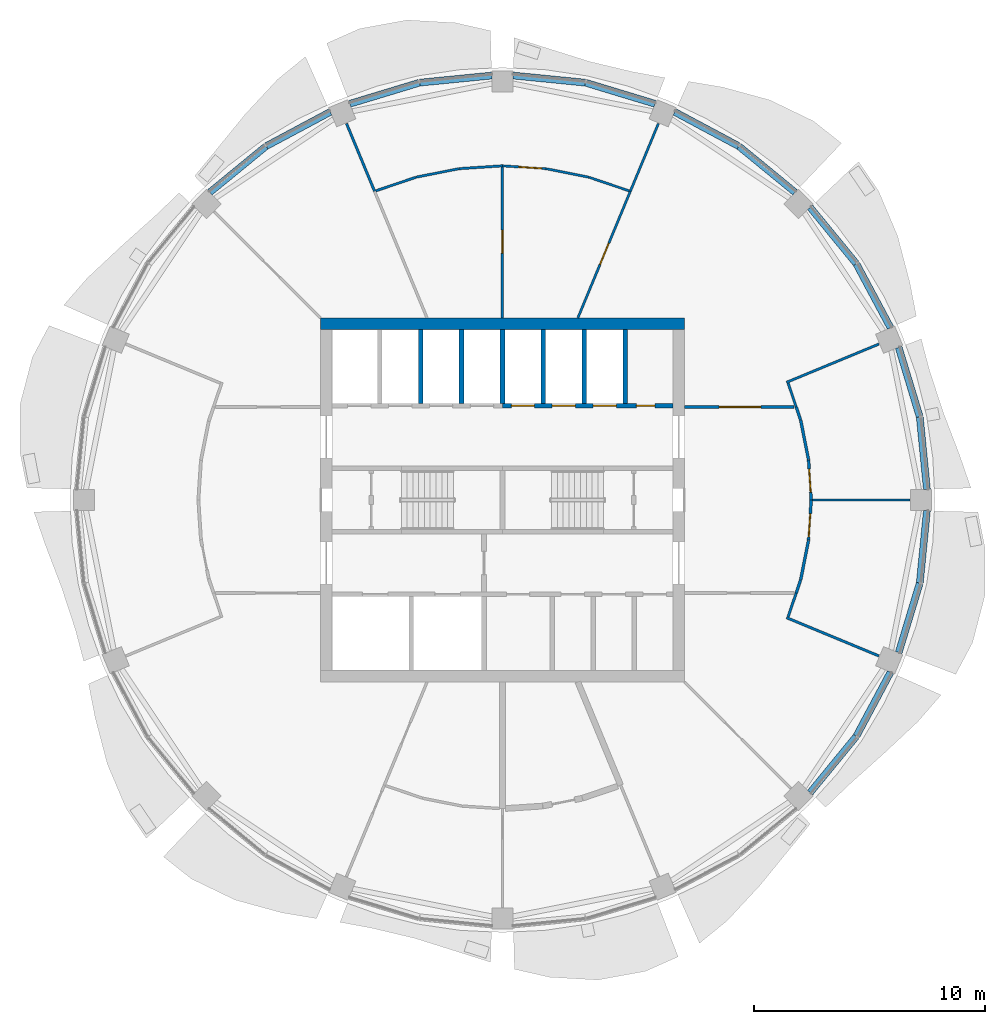
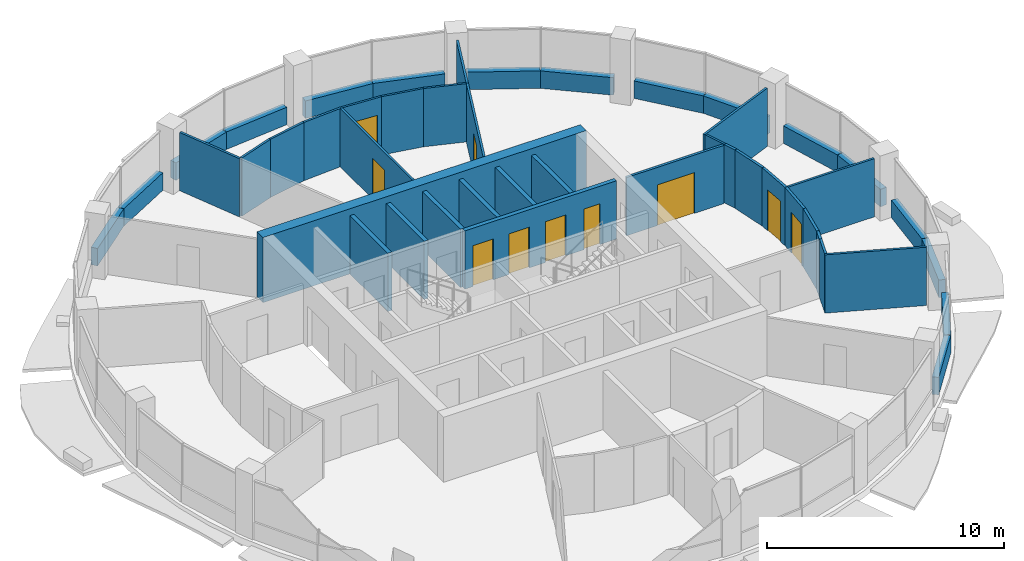
# One storey, part 10 of 15: 46 walls, 10 doors, 10 openings.
"""IFC4 building model written with IfcOpenShell, lengths in metres."""

import ifcopenshell
import ifcopenshell.guid

model = None  # the IFC model being written
_history = None  # IfcOwnerHistory: only IFC2X3 demands one
_inside = {}  # id of a spatial element -> (the spatial element, [elements in it])
_under = {}  # id of a project, library or spatial element -> (it, [spatial elements below it])
_declared = {}  # id of a project -> (the project, [libraries it declares])
_typed = {}  # id of a type object -> (the type object, [elements of that type])
_made_of = {}  # id of a material, layer set ... -> (it, [elements and type objects made of it])


def new_model(schema):
    """Start an empty IFC model of exactly this schema.

    Asked for "IFC4X3", IfcOpenShell would pick the latest addendum, in which some entities
    have other attributes; the version numbers below select the first issue.
    IFC2X3 requires an IfcOwnerHistory on every rooted entity: one is made here for all.
    """
    global model, _history
    if schema == "IFC4X3":
        model = ifcopenshell.file(schema_version=(4, 3, 0, 0))
    else:
        model = ifcopenshell.file(schema=schema)
    _inside.clear()
    _under.clear()
    _declared.clear()
    _typed.clear()
    _made_of.clear()
    _history = None
    if model.schema == "IFC2X3":
        org = make("IfcOrganization", Name="unknown")
        user = make(
            "IfcPersonAndOrganization",
            ThePerson=make("IfcPerson", FamilyName="unknown"),
            TheOrganization=org,
        )
        app = make(
            "IfcApplication",
            ApplicationDeveloper=org,
            Version="unknown",
            ApplicationFullName="unknown",
            ApplicationIdentifier="unknown",
        )
        _history = make(
            "IfcOwnerHistory",
            OwningUser=user,
            OwningApplication=app,
            ChangeAction="ADDED",
            CreationDate=0,
        )
    return model


def make(cls, **values):
    """One entity of the class cls with the attributes given. An attribute that is None is left unset."""
    return model.create_entity(
        cls, **{name: value for name, value in values.items() if value is not None}
    )


def rooted(cls, **values):
    """An entity with a GlobalId (a new one), such as an element, a storey or a relation."""
    return make(cls, GlobalId=ifcopenshell.guid.new(), OwnerHistory=_history, **values)


def si_unit(unit_type, name, prefix=None):
    """IfcSIUnit, for example si_unit("LENGTHUNIT", "METRE", prefix="MILLI")."""
    return make("IfcSIUnit", UnitType=unit_type, Prefix=prefix, Name=name)


def assignment(units):
    """IfcUnitAssignment: the units of a project."""
    return None if units is None else make("IfcUnitAssignment", Units=units)


def point(xyz):
    """IfcCartesianPoint."""
    return None if xyz is None else make("IfcCartesianPoint", Coordinates=xyz)


def direction(xyz):
    """IfcDirection."""
    return None if xyz is None else make("IfcDirection", DirectionRatios=xyz)


def frame(location, z_axis=None, x_axis=None):
    """IfcAxis2Placement3D, a coordinate frame: its origin and axes. An axis left out is left unset."""
    return make(
        "IfcAxis2Placement3D",
        Location=point(location),
        Axis=direction(z_axis),
        RefDirection=direction(x_axis),
    )


def frame_2d(location, x_axis=None):
    """IfcAxis2Placement2D, a coordinate frame in the plane: its origin and x axis."""
    return make(
        "IfcAxis2Placement2D", Location=point(location), RefDirection=direction(x_axis)
    )


def origin():
    """The frame at (0, 0, 0) with its axes left unset."""
    return frame((0.0, 0.0, 0.0))


def place(relative_to, where):
    """IfcLocalPlacement: puts the frame where relative to a parent placement (None: the world)."""
    return make(
        "IfcLocalPlacement", PlacementRelTo=relative_to, RelativePlacement=where
    )


def context(
    kind, dimensions, precision=None, world=None, true_north=None, identifier=None
):
    """IfcGeometricRepresentationContext, for example the 3D "Model" context."""
    return make(
        "IfcGeometricRepresentationContext",
        ContextIdentifier=identifier,
        ContextType=kind,
        CoordinateSpaceDimension=dimensions,
        Precision=precision,
        WorldCoordinateSystem=world,
        TrueNorth=true_north,
    )


def subcontext(parent, identifier, kind, view, scale=None):
    """IfcGeometricRepresentationSubContext, for example "Body" below "Model"."""
    return make(
        "IfcGeometricRepresentationSubContext",
        ContextIdentifier=identifier,
        ContextType=kind,
        ParentContext=parent,
        TargetScale=scale,
        TargetView=view,
    )


def project(units=None, contexts=None):
    """IfcProject with its units and contexts."""
    return rooted(
        "IfcProject",
        Name="project",
        RepresentationContexts=contexts,
        UnitsInContext=assignment(units),
    )


def spatial(cls, under=None, at=None, **own):
    """A site, building, storey or space (cls), placed at a placement, below another one or the project."""
    s = rooted(cls, ObjectPlacement=at, **own)
    if under is not None:
        _under.setdefault(under.id(), (under, []))[1].append(s)
    return s


def profile(cls, at=None, kind="AREA", **sizes):
    """A parametric profile (cls). Its sizes go by their IFC names, for example OverallWidth=200.0."""
    return make(cls, ProfileType=kind, Position=at, **sizes)


def rectangle(**sizes):
    """IfcRectangleProfileDef."""
    return profile("IfcRectangleProfileDef", **sizes)


def extrude(swept, where, along, depth):
    """IfcExtrudedAreaSolid: the profile swept, set in the frame where, extruded along a direction by depth."""
    return make(
        "IfcExtrudedAreaSolid",
        SweptArea=swept,
        Position=where,
        ExtrudedDirection=direction(along),
        Depth=depth,
    )


def shape(context_of_items, identifier, shape_type, items):
    """IfcShapeRepresentation: the items that make up one representation, for example the "Body"."""
    return make(
        "IfcShapeRepresentation",
        ContextOfItems=context_of_items,
        RepresentationIdentifier=identifier,
        RepresentationType=shape_type,
        Items=items,
    )


def material(Name=None, Category=None):
    """IfcMaterial."""
    return make("IfcMaterial", Name=Name, Category=Category)


def layer(
    of_material, thickness, ventilated=None, Name=None, Category=None, Priority=None
):
    """IfcMaterialLayer: one layer of a wall or slab, of a material (None: an air gap)."""
    return make(
        "IfcMaterialLayer",
        Material=of_material,
        LayerThickness=thickness,
        IsVentilated=ventilated,
        Name=Name,
        Category=Category,
        Priority=Priority,
    )


def layer_set(layers, Name=None):
    """IfcMaterialLayerSet."""
    return make("IfcMaterialLayerSet", MaterialLayers=layers, LayerSetName=Name)


def made_of(thing, what):
    """Note that an element or type object is made of a material, layer set ...; save() writes the relation."""
    if what is not None:
        _made_of.setdefault(what.id(), (what, []))[1].append(thing)
    return thing


def type_object(cls, material=None, **own):
    """A type object (cls), such as IfcWallType, which elements share."""
    return made_of(rooted(cls, **own), material)


def element(
    cls,
    number,
    at=None,
    inside=None,
    cuts=None,
    type_object=None,
    material=None,
    context=None,
    identifier="Body",
    shape_type=None,
    held_by="IfcProductDefinitionShape",
    body=None,
    shapes=None,
    **own,
):
    """One element of the class cls, such as IfcWall. Its Tag is "e" and its number.

    at: its placement. inside: the storey or other place that contains it. cuts: it is an
    opening in that element (IfcRelVoidsElement). A single representation is given by context,
    identifier, shape_type and body (its items); several are given by shapes. held_by: the class
    of the entity that holds the representations. save() writes the other relations.
    """
    e = rooted(cls, Tag="e%d" % number, ObjectPlacement=at, **own)
    if body is not None:
        shapes = [shape(context, identifier, shape_type, body)]
    if shapes is not None:
        e.Representation = make(held_by, Representations=shapes)
    if inside is not None:
        _inside.setdefault(inside.id(), (inside, []))[1].append(e)
    if cuts is not None:
        rooted(
            "IfcRelVoidsElement", RelatingBuildingElement=cuts, RelatedOpeningElement=e
        )
    if type_object is not None:
        _typed.setdefault(type_object.id(), (type_object, []))[1].append(e)
    return made_of(e, material)


def fill(opening, filler):
    """IfcRelFillsElement: the door or window that sits in an opening."""
    return rooted(
        "IfcRelFillsElement",
        RelatingOpeningElement=opening,
        RelatedBuildingElement=filler,
    )


def aggregate(whole, parts):
    """IfcRelAggregates: a whole, such as a stair, and the parts it consists of."""
    return rooted("IfcRelAggregates", RelatingObject=whole, RelatedObjects=parts)


def save(model, path):
    """Write the relations noted so far, then the file.

    IfcRelAggregates (storeys below a building ...), IfcRelContainedInSpatialStructure (elements
    in a storey), IfcRelDefinesByType, IfcRelAssociatesMaterial and IfcRelDeclares: one each for
    every whole, place, type object, material and project.
    """
    for whole, parts in _under.values():
        aggregate(whole, parts)
    for where, things in _inside.values():
        rooted(
            "IfcRelContainedInSpatialStructure",
            RelatedElements=things,
            RelatingStructure=where,
        )
    for kind, things in _typed.values():
        rooted("IfcRelDefinesByType", RelatedObjects=things, RelatingType=kind)
    for what, things in _made_of.values():
        rooted("IfcRelAssociatesMaterial", RelatedObjects=things, RelatingMaterial=what)
    for by, libraries in _declared.values():
        rooted("IfcRelDeclares", RelatingContext=by, RelatedDefinitions=libraries)
    model.write(path)


model = new_model("IFC4")

# Units and contexts
model_context = context("Model", 3, precision=1e-05, world=origin(), true_north=direction((0.0, 1.0)))
body_context = subcontext(model_context, "Body", "Model", "MODEL_VIEW")
ifc_project = project(units=[si_unit("LENGTHUNIT", "METRE"), si_unit("AREAUNIT", "SQUARE_METRE"), si_unit("VOLUMEUNIT", "CUBIC_METRE"), si_unit("PLANEANGLEUNIT", "RADIAN"), si_unit("MASSUNIT", "GRAM", prefix="KILO")], contexts=[model_context])

# Site, building, storey
site_placement = place(None, origin())
site = spatial("IfcSite", under=ifc_project, at=site_placement, CompositionType="ELEMENT")
building_placement = place(site_placement, origin())
building = spatial("IfcBuilding", under=site, at=building_placement, Name="Polderwave Tower", CompositionType="ELEMENT")
storey_placement = place(building_placement, frame((0.0, 0.0, 174.25)))
storey = spatial("IfcBuildingStorey", under=building, at=storey_placement, Name="L46", CompositionType="ELEMENT", Elevation=174.25)

# Walls
ifc_material_1 = material(Name="Concrete C60/75", Category="concrete")
ifc_layer_1 = layer(ifc_material_1, 0.5)
ifc_layer_set_1 = layer_set([ifc_layer_1], Name="CORE WALL 500 C60/75")
wall_type_1 = type_object("IfcWallType", Name="CORE WALL 500 C60/75", PredefinedType="SHEAR", material=ifc_layer_set_1)
wall_1_placement = place(storey_placement, frame((-7.8740234375, 7.6240234375, 0.0), z_axis=(0.0, 0.0, 1.0), x_axis=(1.0, 0.0, 0.0)))
element("IfcWall", 1, at=wall_1_placement, inside=storey, type_object=wall_type_1, Name="ST-CORE-L46-N", PredefinedType="SHEAR", context=body_context, shape_type="SweptSolid", body=[
    extrude(rectangle(XDim=15.748046875, YDim=0.5, at=frame_2d((7.8740234375, 0.0))), origin(), (0.0, 0.0, 1.0), 3.35009765625),
])
ifc_material_2 = material(Name="Concrete C50/60 (board-marked)", Category="concrete")
ifc_layer_2 = layer(ifc_material_2, 0.300048828125)
ifc_layer_set_2 = layer_set([ifc_layer_2], Name="Concrete spandrel upstand C50/60")
wall_type_2 = type_object("IfcWallType", Name="Concrete spandrel upstand C50/60", PredefinedType="SOLIDWALL", material=ifc_layer_set_2)
wall_2_placement = place(storey_placement, frame((18.3544921875, 0.4638671875, 0.0), z_axis=(0.0, 0.0, 1.0), x_axis=(-0.098188848083, 0.995167799978, 0.0)))
element("IfcWall", 2, at=wall_2_placement, inside=storey, type_object=wall_type_2, Name="Spandrel L46 1a", PredefinedType="SOLIDWALL", context=body_context, shape_type="SweptSolid", body=[
    extrude(rectangle(XDim=3.12548828125, YDim=0.300048828125, at=frame_2d((1.562744140625, 0.0))), origin(), (0.0, 0.0, 1.0), 0.89990234375),
])
wall_3_placement = place(storey_placement, frame((18.04150390625, 3.603515625, 0.0), z_axis=(0.0, 0.0, 1.0), x_axis=(-0.290083245834, 0.957001416136, 0.0)))
element("IfcWall", 3, at=wall_3_placement, inside=storey, type_object=wall_type_2, Name="Spandrel L46 1b", PredefinedType="SOLIDWALL", context=body_context, shape_type="SweptSolid", body=[
    extrude(rectangle(XDim=3.126708984375, YDim=0.300048828125, at=frame_2d((1.5634765625, 0.0))), origin(), (0.0, 0.0, 1.0), 0.89990234375),
])
wall_4_placement = place(storey_placement, frame((16.77880859375, 7.4521484375, 0.0), z_axis=(0.0, 0.0, 1.0), x_axis=(-0.47120441036, 0.882024038027, 0.0)))
element("IfcWall", 4, at=wall_4_placement, inside=storey, type_object=wall_type_2, Name="Spandrel L46 2a", PredefinedType="SOLIDWALL", context=body_context, shape_type="SweptSolid", body=[
    extrude(rectangle(XDim=3.125244140625, YDim=0.300048828125, at=frame_2d((1.5625, 0.0))), origin(), (0.0, 0.0, 1.0), 0.89990234375),
])
for number, where, z_axis, x_axis, name in (
    (5, (15.28955078125, 10.233642578125, 0.0), (0.0, 0.0, 1.0), (-0.634198158195, 0.773170547901, 0.0), "Spandrel L46 2b"),
    (6, (12.6513671875, 13.306396484375, 0.0), (0.0, 0.0, 1.0), (-0.773170547901, 0.634198158195, 0.0), "Spandrel L46 3a"),
):
    element("IfcWall", number, at=place(storey_placement, frame(where, z_axis=z_axis, x_axis=x_axis)), inside=storey, type_object=wall_type_2, Name=name, PredefinedType="SOLIDWALL", context=body_context, shape_type="SweptSolid", body=[
        extrude(rectangle(XDim=3.126953125, YDim=0.300048828125, at=frame_2d((1.5634765625, 0.0))), origin(), (0.0, 0.0, 1.0), 0.89990234375),
    ])
wall_5_placement = place(storey_placement, frame((10.208740234375, 15.30615234375, 0.0), z_axis=(0.0, 0.0, 1.0), x_axis=(-0.882024038027, 0.47120441036, 0.0)))
element("IfcWall", 7, at=wall_5_placement, inside=storey, type_object=wall_type_2, Name="Spandrel L46 3b", PredefinedType="SOLIDWALL", context=body_context, shape_type="SweptSolid", body=[
    extrude(rectangle(XDim=3.125244140625, YDim=0.300048828125, at=frame_2d((1.5625, 0.0))), origin(), (0.0, 0.0, 1.0), 0.89990234375),
])
wall_6_placement = place(storey_placement, frame((6.595703125, 17.134521484375, 0.0), z_axis=(0.0, 0.0, 1.0), x_axis=(-0.957001416136, 0.290083245834, 0.0)))
element("IfcWall", 8, at=wall_6_placement, inside=storey, type_object=wall_type_2, Name="Spandrel L46 4a", PredefinedType="SOLIDWALL", context=body_context, shape_type="SweptSolid", body=[
    extrude(rectangle(XDim=3.126708984375, YDim=0.300048828125, at=frame_2d((1.5634765625, 0.0))), origin(), (0.0, 0.0, 1.0), 0.89990234375),
])
for number, where, z_axis, x_axis, name in (
    (9, (3.57421875, 18.047607421875, 0.0), (0.0, 0.0, 1.0), (-0.995167799978, 0.098188848083, 0.0), "Spandrel L46 4b"),
    (10, (-0.4638671875, 18.3544921875, 0.0), (0.0, 0.0, 1.0), (-0.995167799978, -0.098188848083, 0.0), "Spandrel L46 5a"),
):
    element("IfcWall", number, at=place(storey_placement, frame(where, z_axis=z_axis, x_axis=x_axis)), inside=storey, type_object=wall_type_2, Name=name, PredefinedType="SOLIDWALL", context=body_context, shape_type="SweptSolid", body=[
        extrude(rectangle(XDim=3.12548828125, YDim=0.300048828125, at=frame_2d((1.562744140625, 0.0))), origin(), (0.0, 0.0, 1.0), 0.89990234375),
    ])
wall_7_placement = place(storey_placement, frame((-3.603515625, 18.04150390625, 0.0), z_axis=(0.0, 0.0, 1.0), x_axis=(-0.957001416136, -0.290083245834, 0.0)))
element("IfcWall", 11, at=wall_7_placement, inside=storey, type_object=wall_type_2, Name="Spandrel L46 5b", PredefinedType="SOLIDWALL", context=body_context, shape_type="SweptSolid", body=[
    extrude(rectangle(XDim=3.126708984375, YDim=0.300048828125, at=frame_2d((1.5634765625, 0.0))), origin(), (0.0, 0.0, 1.0), 0.89990234375),
])
wall_8_placement = place(storey_placement, frame((-7.4521484375, 16.77880859375, 0.0), z_axis=(0.0, 0.0, 1.0), x_axis=(-0.882024038027, -0.47120441036, 0.0)))
element("IfcWall", 12, at=wall_8_placement, inside=storey, type_object=wall_type_2, Name="Spandrel L46 6a", PredefinedType="SOLIDWALL", context=body_context, shape_type="SweptSolid", body=[
    extrude(rectangle(XDim=3.125244140625, YDim=0.300048828125, at=frame_2d((1.5625, 0.0))), origin(), (0.0, 0.0, 1.0), 0.89990234375),
])
for number, where, z_axis, x_axis, name in (
    (13, (-10.233642578125, 15.28955078125, 0.0), (0.0, 0.0, 1.0), (-0.773170547901, -0.634198158195, 0.0), "Spandrel L46 6b"),
    (14, (13.306396484375, -12.6513671875, 0.0), (0.0, 0.0, 1.0), (0.634198158195, 0.773170547901, 0.0), "Spandrel L46 15a"),
):
    element("IfcWall", number, at=place(storey_placement, frame(where, z_axis=z_axis, x_axis=x_axis)), inside=storey, type_object=wall_type_2, Name=name, PredefinedType="SOLIDWALL", context=body_context, shape_type="SweptSolid", body=[
        extrude(rectangle(XDim=3.126953125, YDim=0.300048828125, at=frame_2d((1.5634765625, 0.0))), origin(), (0.0, 0.0, 1.0), 0.89990234375),
    ])
wall_9_placement = place(storey_placement, frame((15.30615234375, -10.208740234375, 0.0), z_axis=(0.0, 0.0, 1.0), x_axis=(0.47120441036, 0.882024038027, 0.0)))
element("IfcWall", 15, at=wall_9_placement, inside=storey, type_object=wall_type_2, Name="Spandrel L46 15b", PredefinedType="SOLIDWALL", context=body_context, shape_type="SweptSolid", body=[
    extrude(rectangle(XDim=3.125244140625, YDim=0.300048828125, at=frame_2d((1.5625, 0.0))), origin(), (0.0, 0.0, 1.0), 0.89990234375),
])
wall_10_placement = place(storey_placement, frame((17.134521484375, -6.595703125, 0.0), z_axis=(0.0, 0.0, 1.0), x_axis=(0.290083245834, 0.957001416136, 0.0)))
element("IfcWall", 16, at=wall_10_placement, inside=storey, type_object=wall_type_2, Name="Spandrel L46 16a", PredefinedType="SOLIDWALL", context=body_context, shape_type="SweptSolid", body=[
    extrude(rectangle(XDim=3.126708984375, YDim=0.300048828125, at=frame_2d((1.5634765625, 0.0))), origin(), (0.0, 0.0, 1.0), 0.89990234375),
])
wall_11_placement = place(storey_placement, frame((18.047607421875, -3.57421875, 0.0), z_axis=(0.0, 0.0, 1.0), x_axis=(0.098188848083, 0.995167799978, 0.0)))
element("IfcWall", 17, at=wall_11_placement, inside=storey, type_object=wall_type_2, Name="Spandrel L46 16b", PredefinedType="SOLIDWALL", context=body_context, shape_type="SweptSolid", body=[
    extrude(rectangle(XDim=3.12548828125, YDim=0.300048828125, at=frame_2d((1.562744140625, 0.0))), origin(), (0.0, 0.0, 1.0), 0.89990234375),
])

# Wall, openings, doors
ifc_material_3 = material(Name="Concrete C50/60", Category="concrete")
ifc_layer_3 = layer(ifc_material_3, 0.199951171875)
ifc_layer_set_3 = layer_set([ifc_layer_3], Name="Core web wall 200")
wall_type_3 = type_object("IfcWallType", Name="Core web wall 200", PredefinedType="SHEAR", material=ifc_layer_set_3)
wall_12_placement = place(storey_placement, frame((0.0, 4.073974609375, 0.0), z_axis=(0.0, 0.0, 1.0), x_axis=(1.0, 0.0, 0.0)))
wall_12 = element("IfcWall", 18, at=wall_12_placement, inside=storey, type_object=wall_type_3, Name="L46 north front wall 2", PredefinedType="SHEAR", context=body_context, shape_type="SweptSolid", body=[
    extrude(rectangle(XDim=7.3740234375, YDim=0.199951171875, at=frame_2d((3.68701171875, 0.0))), origin(), (0.0, 0.0, 1.0), 3.0),
])
opening_1_placement = place(wall_12_placement, frame((0.38427734375, 0.0, 0.0)))
opening_1 = element("IfcOpeningElement", 19, at=opening_1_placement, cuts=wall_12, Name="Opening L46-D07", PredefinedType="OPENING", context=body_context, shape_type="SweptSolid", body=[
    extrude(rectangle(XDim=1.0, YDim=2.10009765625, at=frame_2d((0.5, 1.050048828125))), frame((0.0, 0.10986328125, 0.0), z_axis=(0.0, -1.0, 0.0), x_axis=(1.0, 0.0, 0.0)), (0.0, 0.0, 1.0), 0.219970703125),
])
opening_2_placement = place(wall_12_placement, frame((2.15283203125, 0.0, 0.0)))
opening_2 = element("IfcOpeningElement", 20, at=opening_2_placement, cuts=wall_12, Name="Opening L46-D08", PredefinedType="OPENING", context=body_context, shape_type="SweptSolid", body=[
    extrude(rectangle(XDim=1.0, YDim=2.10009765625, at=frame_2d((0.5, 1.050048828125))), frame((0.0, 0.10986328125, 0.0), z_axis=(0.0, -1.0, 0.0), x_axis=(1.0, 0.0, 0.0)), (0.0, 0.0, 1.0), 0.219970703125),
])
opening_3_placement = place(wall_12_placement, frame((3.921142578125, 0.0, 0.0)))
opening_3 = element("IfcOpeningElement", 21, at=opening_3_placement, cuts=wall_12, Name="Opening L46-D09", PredefinedType="OPENING", context=body_context, shape_type="SweptSolid", body=[
    extrude(rectangle(XDim=1.0, YDim=2.10009765625, at=frame_2d((0.5, 1.050048828125))), frame((0.0, 0.10986328125, 0.0), z_axis=(0.0, -1.0, 0.0), x_axis=(1.0, 0.0, 0.0)), (0.0, 0.0, 1.0), 0.219970703125),
])
opening_4_placement = place(wall_12_placement, frame((5.789794921875, 0.0, 0.0)))
opening_4 = element("IfcOpeningElement", 22, at=opening_4_placement, cuts=wall_12, Name="Opening L46-D19", PredefinedType="OPENING", context=body_context, shape_type="SweptSolid", body=[
    extrude(rectangle(XDim=0.800048828125, YDim=2.10009765625, at=frame_2d((0.39990234375, 1.050048828125))), frame((0.0, 0.10986328125, 0.0), z_axis=(0.0, -1.0, 0.0), x_axis=(1.0, 0.0, 0.0)), (0.0, 0.0, 1.0), 0.219970703125),
])
ifc_material_4 = material(Name="Stainless steel", Category="steel")
door_type_1 = type_object("IfcDoorType", Name="Lift landing door 1000", OperationType="DOUBLE_DOOR_SLIDING", PredefinedType="DOOR", material=ifc_material_4)
door_1_placement = place(opening_1_placement, frame((1.0, 0.0, 0.0), z_axis=(0.0, 0.0, 1.0), x_axis=(-1.0, 0.0, 0.0)))
door_1 = element("IfcDoor", 23, at=door_1_placement, inside=storey, type_object=door_type_1, Name="Lift HL5 landing door", OperationType="DOUBLE_DOOR_SLIDING", OverallHeight=2.10009765625, OverallWidth=1.0, PredefinedType="DOOR", context=body_context, shape_type="SweptSolid", body=[
    extrude(rectangle(XDim=1.0, YDim=2.10009765625, at=frame_2d((0.5, 1.050048828125))), frame((0.0, 0.02490234375, 0.0), z_axis=(0.0, -1.0, 0.0), x_axis=(1.0, 0.0, 0.0)), (0.0, 0.0, 1.0), 0.050048828125),
])
fill(opening_1, door_1)
door_2_placement = place(opening_2_placement, frame((1.0, 0.0, 0.0), z_axis=(0.0, 0.0, 1.0), x_axis=(-1.0, 0.0, 0.0)))
door_2 = element("IfcDoor", 24, at=door_2_placement, inside=storey, type_object=door_type_1, Name="Lift HL6 landing door", OperationType="DOUBLE_DOOR_SLIDING", OverallHeight=2.10009765625, OverallWidth=1.0, PredefinedType="DOOR", context=body_context, shape_type="SweptSolid", body=[
    extrude(rectangle(XDim=1.0, YDim=2.10009765625, at=frame_2d((0.5, 1.050048828125))), frame((0.0, 0.02490234375, 0.0), z_axis=(0.0, -1.0, 0.0), x_axis=(1.0, 0.0, 0.0)), (0.0, 0.0, 1.0), 0.050048828125),
])
fill(opening_2, door_2)
door_3_placement = place(opening_3_placement, frame((1.0, 0.0, 0.0), z_axis=(0.0, 0.0, 1.0), x_axis=(-1.0, 0.0, 0.0)))
door_3 = element("IfcDoor", 25, at=door_3_placement, inside=storey, type_object=door_type_1, Name="Lift HL7 landing door", OperationType="DOUBLE_DOOR_SLIDING", OverallHeight=2.10009765625, OverallWidth=1.0, PredefinedType="DOOR", context=body_context, shape_type="SweptSolid", body=[
    extrude(rectangle(XDim=1.0, YDim=2.10009765625, at=frame_2d((0.5, 1.050048828125))), frame((0.0, 0.02490234375, 0.0), z_axis=(0.0, -1.0, 0.0), x_axis=(1.0, 0.0, 0.0)), (0.0, 0.0, 1.0), 0.050048828125),
])
fill(opening_3, door_3)
ifc_material_5 = material(Name="Steel fire door", Category="steel")
door_type_2 = type_object("IfcDoorType", Name="Riser door 800", OperationType="NOTDEFINED", PredefinedType="DOOR", material=ifc_material_5)
door_4_placement = place(opening_4_placement, frame((0.800048828125, 0.0, 0.0), z_axis=(0.0, 0.0, 1.0), x_axis=(-1.0, 0.0, 0.0)))
door_4 = element("IfcDoor", 26, at=door_4_placement, inside=storey, type_object=door_type_2, Name="Riser door", OperationType="SINGLE_SWING_LEFT", OverallHeight=2.10009765625, OverallWidth=0.800048828125, PredefinedType="DOOR", context=body_context, shape_type="SweptSolid", body=[
    extrude(rectangle(XDim=0.800048828125, YDim=2.10009765625, at=frame_2d((0.39990234375, 1.050048828125))), frame((0.0, 0.02490234375, 0.0), z_axis=(0.0, -1.0, 0.0), x_axis=(1.0, 0.0, 0.0)), (0.0, 0.0, 1.0), 0.050048828125),
])
fill(opening_4, door_4)

# Walls
ifc_material_6 = material(Name="Fire-resisting board on steel studs", Category="steel")
ifc_layer_4 = layer(ifc_material_6, 0.125)
ifc_layer_set_4 = layer_set([ifc_layer_4], Name="Corridor wall 125 mm EI 60")
wall_type_4 = type_object("IfcWallType", Name="Corridor wall 125 mm EI 60", PredefinedType="PARTITIONING", material=ifc_layer_set_4)
wall_13_placement = place(storey_placement, frame((12.701904296875, 4.0244140625, 0.0), z_axis=(0.0, 0.0, 1.0), x_axis=(0.321374914787, -0.946952038989, 0.0)))
element("IfcWall", 27, at=wall_13_placement, inside=storey, type_object=wall_type_4, Name="IN-L46-W001", PredefinedType="PARTITIONING", context=body_context, shape_type="SweptSolid", body=[
    extrude(rectangle(XDim=0.59716796875, YDim=0.125, at=frame_2d((0.298583984375, 0.0))), origin(), (0.0, 0.0, 1.0), 3.0),
])
wall_14_placement = place(storey_placement, frame((12.89599609375, 3.451171875, 0.0), z_axis=(0.0, 0.0, 1.0), x_axis=(0.195116516296, -0.980780069673, 0.0)))
element("IfcWall", 28, at=wall_14_placement, inside=storey, type_object=wall_type_4, Name="IN-L46-W002", PredefinedType="PARTITIONING", context=body_context, shape_type="SweptSolid", body=[
    extrude(rectangle(XDim=1.738037109375, YDim=0.125, at=frame_2d((0.869140625, 0.0))), origin(), (0.0, 0.0, 1.0), 3.0),
])

# Wall, opening, door
wall_15_placement = place(storey_placement, frame((13.236083984375, 1.73828125, 0.0), z_axis=(0.0, 0.0, 1.0), x_axis=(0.065449256286, -0.997855898841, 0.0)))
wall_15 = element("IfcWall", 29, at=wall_15_placement, inside=storey, type_object=wall_type_4, Name="IN-L46-W003", PredefinedType="PARTITIONING", context=body_context, shape_type="SweptSolid", body=[
    extrude(rectangle(XDim=1.741943359375, YDim=0.125, at=frame_2d((0.87109375, 0.0))), origin(), (0.0, 0.0, 1.0), 3.0),
])
opening_5_placement = place(wall_15_placement, frame((0.39990234375, 0.0, 0.0)))
opening_5 = element("IfcOpeningElement", 30, at=opening_5_placement, cuts=wall_15, Name="Opening L46-D50", PredefinedType="OPENING", context=body_context, shape_type="SweptSolid", body=[
    extrude(rectangle(XDim=1.0, YDim=2.10009765625, at=frame_2d((0.5, 1.050048828125))), frame((0.0, 0.072509765625, 0.0), z_axis=(0.0, -1.0, 0.0), x_axis=(1.0, 0.0, 0.0)), (0.0, 0.0, 1.0), 0.14501953125),
])
ifc_material_7 = material(Name="Timber fire door leaf", Category="wood")
door_type_3 = type_object("IfcDoorType", Name="Fire door FD30S 1000 x 2100", OperationType="NOTDEFINED", PredefinedType="DOOR", material=ifc_material_7)
door_5_placement = place(opening_5_placement, origin())
door_5 = element("IfcDoor", 31, at=door_5_placement, inside=storey, type_object=door_type_3, Name="Door L46-D50", OperationType="SINGLE_SWING_RIGHT", OverallHeight=2.10009765625, OverallWidth=1.0, PredefinedType="DOOR", context=body_context, shape_type="SweptSolid", body=[
    extrude(rectangle(XDim=1.0, YDim=2.10009765625, at=frame_2d((0.5, 1.050048828125))), frame((0.0, 0.02490234375, 0.0), z_axis=(0.0, -1.0, 0.0), x_axis=(1.0, 0.0, 0.0)), (0.0, 0.0, 1.0), 0.050048828125),
])
fill(opening_5, door_5)

wall_16_placement = place(storey_placement, frame((7.8740234375, 4.0244140625, 0.0), z_axis=(0.0, 0.0, 1.0), x_axis=(1.0, 0.0, 0.0)))
wall_16 = element("IfcWall", 32, at=wall_16_placement, inside=storey, type_object=wall_type_4, Name="IN-L46-W004", PredefinedType="PARTITIONING", context=body_context, shape_type="SweptSolid", body=[
    extrude(rectangle(XDim=4.74072265625, YDim=0.125, at=frame_2d((2.370361328125, 0.0))), origin(), (0.0, 0.0, 1.0), 3.0),
])
opening_6_placement = place(wall_16_placement, frame((1.5, 0.0, 0.0)))
opening_6 = element("IfcOpeningElement", 33, at=opening_6_placement, cuts=wall_16, Name="Opening L46-D51", PredefinedType="OPENING", context=body_context, shape_type="SweptSolid", body=[
    extrude(rectangle(XDim=1.800048828125, YDim=2.10009765625, at=frame_2d((0.89990234375, 1.050048828125))), frame((0.0, 0.072509765625, 0.0), z_axis=(0.0, -1.0, 0.0), x_axis=(1.0, 0.0, 0.0)), (0.0, 0.0, 1.0), 0.14501953125),
])
ifc_material_8 = material(Name="Timber fire door leaves", Category="wood")
door_type_4 = type_object("IfcDoorType", Name="Double fire door FD30S 1800 x 2100", OperationType="NOTDEFINED", PredefinedType="DOOR", material=ifc_material_8)
door_6_placement = place(opening_6_placement, origin())
door_6 = element("IfcDoor", 34, at=door_6_placement, inside=storey, type_object=door_type_4, Name="Door L46-D51", OperationType="DOUBLE_DOOR_SINGLE_SWING", OverallHeight=2.10009765625, OverallWidth=1.800048828125, PredefinedType="DOOR", context=body_context, shape_type="SweptSolid", body=[
    extrude(rectangle(XDim=1.800048828125, YDim=2.10009765625, at=frame_2d((0.89990234375, 1.050048828125))), frame((0.0, 0.02490234375, 0.0), z_axis=(0.0, -1.0, 0.0), x_axis=(1.0, 0.0, 0.0)), (0.0, 0.0, 1.0), 0.050048828125),
])
fill(opening_6, door_6)

# Walls
wall_17_placement = place(storey_placement, frame((12.893798828125, -3.458984375, 0.0), z_axis=(0.0, 0.0, 1.0), x_axis=(-0.321374914787, -0.946952038989, 0.0)))
element("IfcWall", 35, at=wall_17_placement, inside=storey, type_object=wall_type_4, Name="IN-L46-W006", PredefinedType="PARTITIONING", context=body_context, shape_type="SweptSolid", body=[
    extrude(rectangle(XDim=0.59716796875, YDim=0.125, at=frame_2d((0.298583984375, 0.0))), origin(), (0.0, 0.0, 1.0), 3.0),
])
wall_18_placement = place(storey_placement, frame((13.235107421875, -1.74658203125, 0.0), z_axis=(0.0, 0.0, 1.0), x_axis=(-0.195116516296, -0.980780069673, 0.0)))
element("IfcWall", 36, at=wall_18_placement, inside=storey, type_object=wall_type_4, Name="IN-L46-W007", PredefinedType="PARTITIONING", context=body_context, shape_type="SweptSolid", body=[
    extrude(rectangle(XDim=1.738037109375, YDim=0.125, at=frame_2d((0.869140625, 0.0))), origin(), (0.0, 0.0, 1.0), 3.0),
])

# Wall, opening, door
wall_19_placement = place(storey_placement, frame((13.35009765625, 0.0, 0.0), z_axis=(0.0, 0.0, 1.0), x_axis=(-0.065449256286, -0.997855898841, 0.0)))
wall_19 = element("IfcWall", 37, at=wall_19_placement, inside=storey, type_object=wall_type_4, Name="IN-L46-W008", PredefinedType="PARTITIONING", context=body_context, shape_type="SweptSolid", body=[
    extrude(rectangle(XDim=1.741943359375, YDim=0.125, at=frame_2d((0.87109375, 0.0))), origin(), (0.0, 0.0, 1.0), 3.0),
])
opening_7_placement = place(wall_19_placement, frame((0.60009765625, 0.0, 0.0)))
opening_7 = element("IfcOpeningElement", 38, at=opening_7_placement, cuts=wall_19, Name="Opening L46-D53", PredefinedType="OPENING", context=body_context, shape_type="SweptSolid", body=[
    extrude(rectangle(XDim=1.0, YDim=2.10009765625, at=frame_2d((0.5, 1.050048828125))), frame((0.0, 0.072509765625, 0.0), z_axis=(0.0, -1.0, 0.0), x_axis=(1.0, 0.0, 0.0)), (0.0, 0.0, 1.0), 0.14501953125),
])
door_7_placement = place(opening_7_placement, origin())
door_7 = element("IfcDoor", 39, at=door_7_placement, inside=storey, type_object=door_type_3, Name="Door L46-D53", OperationType="SINGLE_SWING_RIGHT", OverallHeight=2.10009765625, OverallWidth=1.0, PredefinedType="DOOR", context=body_context, shape_type="SweptSolid", body=[
    extrude(rectangle(XDim=1.0, YDim=2.10009765625, at=frame_2d((0.5, 1.050048828125))), frame((0.0, 0.02490234375, 0.0), z_axis=(0.0, -1.0, 0.0), x_axis=(1.0, 0.0, 0.0)), (0.0, 0.0, 1.0), 0.050048828125),
])
fill(opening_7, door_7)

ifc_material_9 = material(Name="Plasterboard on steel studs", Category="steel")
ifc_layer_5 = layer(ifc_material_9, 0.10009765625)
ifc_layer_set_5 = layer_set([ifc_layer_5], Name="Partition 100 mm plasterboard on steel studs")
wall_type_5 = type_object("IfcWallType", Name="Partition 100 mm plasterboard on steel studs", PredefinedType="PARTITIONING", material=ifc_layer_set_5)
wall_20_placement = place(storey_placement, frame((3.261474609375, 7.8740234375, 0.0), z_axis=(0.0, 0.0, 1.0), x_axis=(0.382690105068, 0.923876768559, 0.0)))
wall_20 = element("IfcWall", 40, at=wall_20_placement, inside=storey, type_object=wall_type_5, Name="IN-L46-W020", PredefinedType="PARTITIONING", context=body_context, shape_type="SweptSolid", body=[
    extrude(rectangle(XDim=5.92724609375, YDim=0.10009765625, at=frame_2d((2.963623046875, 0.0))), origin(), (0.0, 0.0, 1.0), 3.0),
])
opening_8_placement = place(wall_20_placement, frame((2.5, 0.0, 0.0)))
opening_8 = element("IfcOpeningElement", 41, at=opening_8_placement, cuts=wall_20, Name="Opening L46-D57", PredefinedType="OPENING", context=body_context, shape_type="SweptSolid", body=[
    extrude(rectangle(XDim=1.0, YDim=2.10009765625, at=frame_2d((0.5, 1.050048828125))), frame((0.0, 0.06005859375, 0.0), z_axis=(0.0, -1.0, 0.0), x_axis=(1.0, 0.0, 0.0)), (0.0, 0.0, 1.0), 0.1201171875),
])
ifc_material_10 = material(Name="Timber veneer door leaf", Category="wood")
door_type_5 = type_object("IfcDoorType", Name="Single door 1000 x 2100", OperationType="NOTDEFINED", PredefinedType="DOOR", material=ifc_material_10)
door_8_placement = place(opening_8_placement, origin())
door_8 = element("IfcDoor", 42, at=door_8_placement, inside=storey, type_object=door_type_5, Name="Door L46-D57", OperationType="SINGLE_SWING_RIGHT", OverallHeight=2.10009765625, OverallWidth=1.0, PredefinedType="DOOR", context=body_context, shape_type="SweptSolid", body=[
    extrude(rectangle(XDim=1.0, YDim=2.10009765625, at=frame_2d((0.5, 1.050048828125))), frame((0.0, 0.02490234375, 0.0), z_axis=(0.0, -1.0, 0.0), x_axis=(1.0, 0.0, 0.0)), (0.0, 0.0, 1.0), 0.050048828125),
])
fill(opening_8, door_8)

# Wall
wall_21_placement = place(storey_placement, frame((5.52978515625, 13.35009765625, 0.0), z_axis=(0.0, 0.0, 1.0), x_axis=(0.382689618566, 0.923876970079, 0.0)))
element("IfcWall", 43, at=wall_21_placement, inside=storey, type_object=wall_type_5, Name="IN-L46-W021", PredefinedType="PARTITIONING", context=body_context, shape_type="SweptSolid", body=[
    extrude(rectangle(XDim=3.169921875, YDim=0.10009765625, at=frame_2d((1.5849609375, 0.0))), origin(), (0.0, 0.0, 1.0), 3.0),
])

# Wall, opening, door
wall_22_placement = place(storey_placement, frame((0.0, 14.449951171875, 0.0), z_axis=(0.0, 0.0, 1.0), x_axis=(0.997862900294, -0.065342422802, 0.0)))
wall_22 = element("IfcWall", 44, at=wall_22_placement, inside=storey, type_object=wall_type_5, Name="IN-L46-W022", PredefinedType="PARTITIONING", context=body_context, shape_type="SweptSolid", body=[
    extrude(rectangle(XDim=1.886962890625, YDim=0.10009765625, at=frame_2d((0.943359375, 0.0))), origin(), (0.0, 0.0, 1.0), 3.0),
])
opening_9_placement = place(wall_22_placement, frame((0.699951171875, 0.0, 0.0)))
opening_9 = element("IfcOpeningElement", 45, at=opening_9_placement, cuts=wall_22, Name="Opening L46-D58", PredefinedType="OPENING", context=body_context, shape_type="SweptSolid", body=[
    extrude(rectangle(XDim=1.0, YDim=2.10009765625, at=frame_2d((0.5, 1.050048828125))), frame((0.0, 0.06005859375, 0.0), z_axis=(0.0, -1.0, 0.0), x_axis=(1.0, 0.0, 0.0)), (0.0, 0.0, 1.0), 0.1201171875),
])
door_9_placement = place(opening_9_placement, origin())
door_9 = element("IfcDoor", 46, at=door_9_placement, inside=storey, type_object=door_type_5, Name="Door L46-D58", OperationType="SINGLE_SWING_RIGHT", OverallHeight=2.10009765625, OverallWidth=1.0, PredefinedType="DOOR", context=body_context, shape_type="SweptSolid", body=[
    extrude(rectangle(XDim=1.0, YDim=2.10009765625, at=frame_2d((0.5, 1.050048828125))), frame((0.0, 0.02490234375, 0.0), z_axis=(0.0, -1.0, 0.0), x_axis=(1.0, 0.0, 0.0)), (0.0, 0.0, 1.0), 0.050048828125),
])
fill(opening_9, door_9)

# Walls
wall_23_placement = place(storey_placement, frame((1.889404296875, 14.32568359375, 0.0), z_axis=(0.0, 0.0, 1.0), x_axis=(0.980789493394, -0.195069140684, 0.0)))
element("IfcWall", 47, at=wall_23_placement, inside=storey, type_object=wall_type_5, Name="IN-L46-W023", PredefinedType="PARTITIONING", context=body_context, shape_type="SweptSolid", body=[
    extrude(rectangle(XDim=1.883544921875, YDim=0.10009765625, at=frame_2d((0.94189453125, 0.0))), origin(), (0.0, 0.0, 1.0), 3.0),
])
wall_24_placement = place(storey_placement, frame((3.742919921875, 13.95654296875, 0.0), z_axis=(0.0, 0.0, 1.0), x_axis=(0.946938181516, -0.321415743839, 0.0)))
element("IfcWall", 48, at=wall_24_placement, inside=storey, type_object=wall_type_5, Name="IN-L46-W024", PredefinedType="PARTITIONING", context=body_context, shape_type="SweptSolid", body=[
    extrude(rectangle(XDim=1.833740234375, YDim=0.10009765625, at=frame_2d((0.9169921875, 0.0))), origin(), (0.0, 0.0, 1.0), 3.0),
])
ifc_material_11 = material(Name="Moisture-resistant board on steel studs, tiled", Category="steel")
ifc_layer_6 = layer(ifc_material_11, 0.10498046875)
ifc_layer_set_6 = layer_set([ifc_layer_6], Name="Partition 105 mm wet room board and tile")
wall_type_6 = type_object("IfcWallType", Name="Partition 105 mm wet room board and tile", PredefinedType="PARTITIONING", material=ifc_layer_set_6)
wall_25_placement = place(storey_placement, frame((12.285400390625, 5.088623046875, 0.0), z_axis=(0.0, 0.0, 1.0), x_axis=(0.923865378524, 0.382717601325, 0.0)))
element("IfcWall", 49, at=wall_25_placement, inside=storey, type_object=wall_type_6, Name="IN-L46-W017", PredefinedType="PARTITIONING", context=body_context, shape_type="SweptSolid", body=[
    extrude(rectangle(XDim=4.322509765625, YDim=0.10498046875, at=frame_2d((2.1611328125, 0.0))), origin(), (0.0, 0.0, 1.0), 3.0),
])
wall_26_placement = place(storey_placement, frame((12.701904296875, 4.0244140625, 0.0), z_axis=(0.0, 0.0, 1.0), x_axis=(-0.321468654442, 0.946920220616, 0.0)))
element("IfcWall", 50, at=wall_26_placement, inside=storey, type_object=wall_type_6, Name="IN-L46-W018", PredefinedType="PARTITIONING", context=body_context, shape_type="SweptSolid", body=[
    extrude(rectangle(XDim=1.089111328125, YDim=0.10498046875, at=frame_2d((0.54443359375, 0.0))), origin(), (0.0, 0.0, 1.0), 3.0),
])
wall_27_placement = place(storey_placement, frame((17.6201171875, 0.0, 0.0), z_axis=(0.0, 0.0, 1.0), x_axis=(-1.0, 0.0, 0.0)))
element("IfcWall", 51, at=wall_27_placement, inside=storey, type_object=wall_type_6, Name="IN-L46-W019", PredefinedType="PARTITIONING", context=body_context, shape_type="SweptSolid", body=[
    extrude(rectangle(XDim=4.2041015625, YDim=0.10498046875, at=frame_2d((2.10205078125, 0.0))), origin(), (0.0, 0.0, 1.0), 3.0),
])

# Wall, opening, door
wall_28_placement = place(storey_placement, frame((0.0, 7.8740234375, 0.0), z_axis=(0.0, 0.0, 1.0), x_axis=(0.0, 1.0, 0.0)))
wall_28 = element("IfcWall", 52, at=wall_28_placement, inside=storey, type_object=wall_type_6, Name="IN-L46-W025", PredefinedType="PARTITIONING", context=body_context, shape_type="SweptSolid", body=[
    extrude(rectangle(XDim=6.519775390625, YDim=0.10498046875, at=frame_2d((3.259765625, 0.0))), origin(), (0.0, 0.0, 1.0), 3.0),
])
opening_10_placement = place(wall_28_placement, frame((2.800048828125, 0.0, 0.0)))
opening_10 = element("IfcOpeningElement", 53, at=opening_10_placement, cuts=wall_28, Name="Opening L46-D59", PredefinedType="OPENING", context=body_context, shape_type="SweptSolid", body=[
    extrude(rectangle(XDim=1.0, YDim=2.10009765625, at=frame_2d((0.5, 1.050048828125))), frame((0.0, 0.0625, 0.0), z_axis=(0.0, -1.0, 0.0), x_axis=(1.0, 0.0, 0.0)), (0.0, 0.0, 1.0), 0.125),
])
door_10_placement = place(opening_10_placement, origin())
door_10 = element("IfcDoor", 54, at=door_10_placement, inside=storey, type_object=door_type_5, Name="Door L46-D59", OperationType="SINGLE_SWING_RIGHT", OverallHeight=2.10009765625, OverallWidth=1.0, PredefinedType="DOOR", context=body_context, shape_type="SweptSolid", body=[
    extrude(rectangle(XDim=1.0, YDim=2.10009765625, at=frame_2d((0.5, 1.050048828125))), frame((0.0, 0.02490234375, 0.0), z_axis=(0.0, -1.0, 0.0), x_axis=(1.0, 0.0, 0.0)), (0.0, 0.0, 1.0), 0.050048828125),
])
fill(opening_10, door_10)

# Walls
wall_29_placement = place(storey_placement, frame((-3.7431640625, 13.95654296875, 0.0), z_axis=(0.0, 0.0, 1.0), x_axis=(-0.946932980831, -0.321431065415, 0.0)))
element("IfcWall", 55, at=wall_29_placement, inside=storey, type_object=wall_type_6, Name="IN-L46-W026", PredefinedType="PARTITIONING", context=body_context, shape_type="SweptSolid", body=[
    extrude(rectangle(XDim=1.828125, YDim=0.10498046875, at=frame_2d((0.9140625, 0.0))), origin(), (0.0, 0.0, 1.0), 3.0),
])
wall_30_placement = place(storey_placement, frame((-1.889404296875, 14.32568359375, 0.0), z_axis=(0.0, 0.0, 1.0), x_axis=(-0.980784560384, -0.195093941763, 0.0)))
element("IfcWall", 56, at=wall_30_placement, inside=storey, type_object=wall_type_6, Name="IN-L46-W027", PredefinedType="PARTITIONING", context=body_context, shape_type="SweptSolid", body=[
    extrude(rectangle(XDim=1.88330078125, YDim=0.10498046875, at=frame_2d((0.941650390625, 0.0))), origin(), (0.0, 0.0, 1.0), 3.0),
])
wall_31_placement = place(storey_placement, frame((0.0, 14.449951171875, 0.0), z_axis=(0.0, 0.0, 1.0), x_axis=(-0.997862900294, -0.065342422802, 0.0)))
element("IfcWall", 57, at=wall_31_placement, inside=storey, type_object=wall_type_6, Name="IN-L46-W028", PredefinedType="PARTITIONING", context=body_context, shape_type="SweptSolid", body=[
    extrude(rectangle(XDim=1.886962890625, YDim=0.10498046875, at=frame_2d((0.943359375, 0.0))), origin(), (0.0, 0.0, 1.0), 3.0),
])
ifc_material_12 = material(Name="Acoustic double plasterboard on steel studs", Category="steel")
ifc_layer_7 = layer(ifc_material_12, 0.110107421875)
ifc_layer_set_7 = layer_set([ifc_layer_7], Name="Partition 110 mm acoustic double board")
wall_type_7 = type_object("IfcWallType", Name="Partition 110 mm acoustic double board", PredefinedType="PARTITIONING", material=ifc_layer_set_7)
wall_32_placement = place(storey_placement, frame((-5.52978515625, 13.35009765625, 0.0), z_axis=(0.0, 0.0, 1.0), x_axis=(-0.382689618566, 0.923876970079, 0.0)))
element("IfcWall", 58, at=wall_32_placement, inside=storey, type_object=wall_type_7, Name="IN-L46-W029", PredefinedType="PARTITIONING", context=body_context, shape_type="SweptSolid", body=[
    extrude(rectangle(XDim=3.169921875, YDim=0.110107421875, at=frame_2d((1.5849609375, 0.0))), origin(), (0.0, 0.0, 1.0), 3.0),
])
wall_33_placement = place(storey_placement, frame((12.282958984375, -5.087890625, 0.0), z_axis=(0.0, 0.0, 1.0), x_axis=(0.923888181348, -0.382662551559, 0.0)))
element("IfcWall", 59, at=wall_33_placement, inside=storey, type_object=wall_type_7, Name="IN-L46-W049", PredefinedType="PARTITIONING", context=body_context, shape_type="SweptSolid", body=[
    extrude(rectangle(XDim=4.324951171875, YDim=0.110107421875, at=frame_2d((2.16259765625, 0.0))), origin(), (0.0, 0.0, 1.0), 3.0),
])
wall_34_placement = place(storey_placement, frame((12.701904296875, -4.0244140625, 0.0), z_axis=(0.0, 0.0, 1.0), x_axis=(-0.321346724307, -0.946961605756, 0.0)))
element("IfcWall", 60, at=wall_34_placement, inside=storey, type_object=wall_type_7, Name="IN-L46-W050", PredefinedType="PARTITIONING", context=body_context, shape_type="SweptSolid", body=[
    extrude(rectangle(XDim=1.08642578125, YDim=0.110107421875, at=frame_2d((0.543212890625, 0.0))), origin(), (0.0, 0.0, 1.0), 3.0),
])
ifc_material_13 = material(Name="Gypsum shaft wall system")
ifc_layer_8 = layer(ifc_material_13, 0.199951171875)
ifc_layer_set_8 = layer_set([ifc_layer_8], Name="Shaft wall 200")
wall_type_8 = type_object("IfcWallType", Name="Shaft wall 200", PredefinedType="PARTITIONING", material=ifc_layer_set_8)
for number, where, z_axis, x_axis, name in (
    (61, (-3.537109375, 4.174072265625, 0.0), (0.0, 0.0, 1.0), (0.0, 1.0, 0.0), "L46 lift shaft wall N2"),
    (62, (-1.7685546875, 4.174072265625, 0.0), (0.0, 0.0, 1.0), (0.0, 1.0, 0.0), "L46 lift shaft wall N3"),
    (63, (0.0, 4.174072265625, 0.0), (0.0, 0.0, 1.0), (0.0, 1.0, 0.0), "L46 lift shaft wall N4"),
    (64, (1.7685546875, 4.174072265625, 0.0), (0.0, 0.0, 1.0), (0.0, 1.0, 0.0), "L46 lift shaft wall N5"),
    (65, (3.537109375, 4.174072265625, 0.0), (0.0, 0.0, 1.0), (0.0, 1.0, 0.0), "L46 lift shaft wall N6"),
    (66, (5.305419921875, 4.174072265625, 0.0), (0.0, 0.0, 1.0), (0.0, 1.0, 0.0), "L46 lift shaft wall N7"),
):
    element("IfcWall", number, at=place(storey_placement, frame(where, z_axis=z_axis, x_axis=x_axis)), inside=storey, type_object=wall_type_8, Name=name, PredefinedType="PARTITIONING", context=body_context, shape_type="SweptSolid", body=[
        extrude(rectangle(XDim=3.199951171875, YDim=0.199951171875, at=frame_2d((1.60009765625, 0.0))), origin(), (0.0, 0.0, 1.0), 3.0),
    ])

save(model, "model.ifc")
